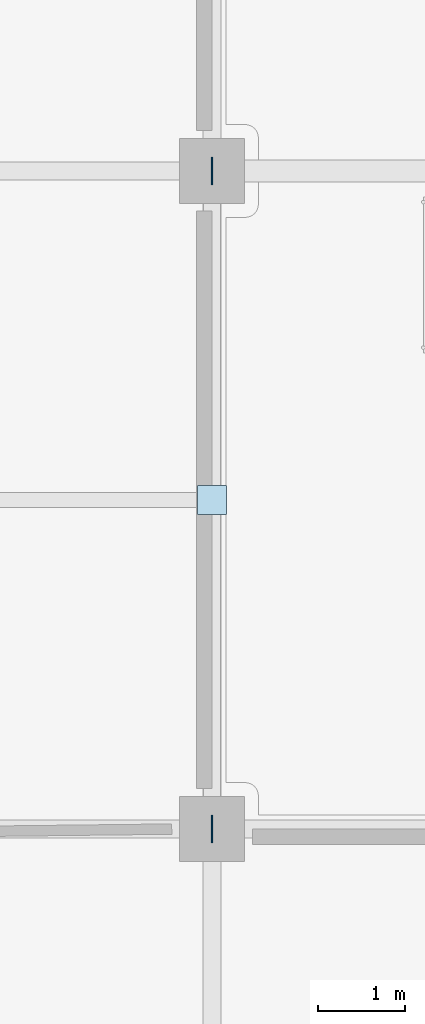
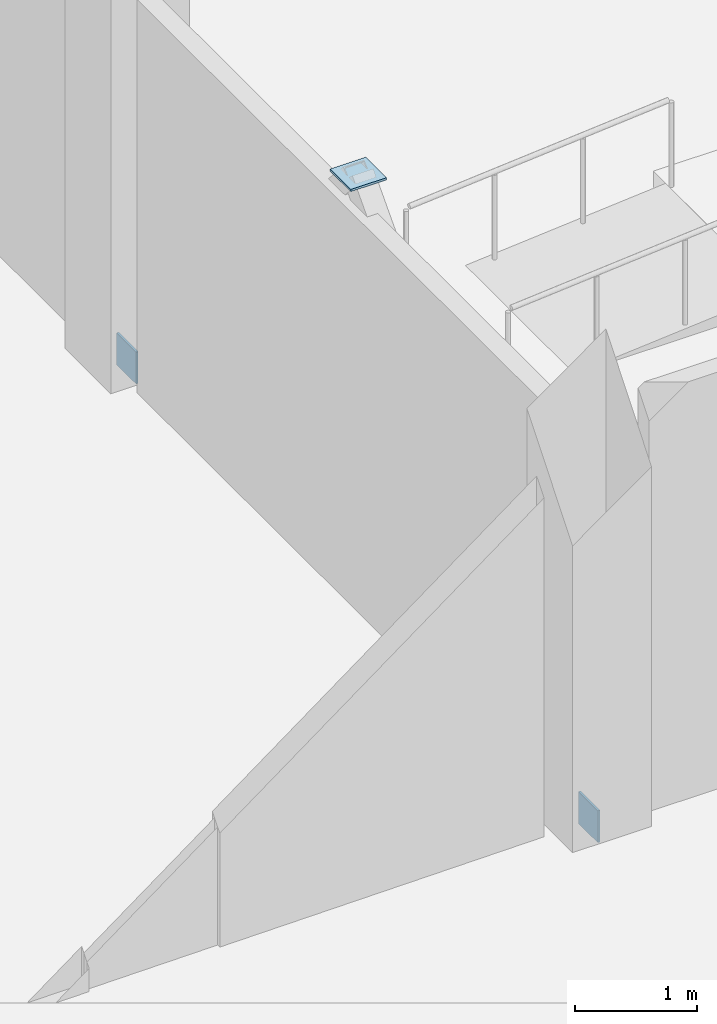
# One storey, part 13 of 36: 3 plates.
"""IFC4 building model written with IfcOpenShell, lengths in metres."""

import ifcopenshell
import ifcopenshell.guid

model = None  # the IFC model being written
_history = None  # IfcOwnerHistory: only IFC2X3 demands one
_inside = {}  # id of a spatial element -> (the spatial element, [elements in it])
_under = {}  # id of a project, library or spatial element -> (it, [spatial elements below it])
_declared = {}  # id of a project -> (the project, [libraries it declares])
_typed = {}  # id of a type object -> (the type object, [elements of that type])
_made_of = {}  # id of a material, layer set ... -> (it, [elements and type objects made of it])


def new_model(schema):
    """Start an empty IFC model of exactly this schema.

    Asked for "IFC4X3", IfcOpenShell would pick the latest addendum, in which some entities
    have other attributes; the version numbers below select the first issue.
    IFC2X3 requires an IfcOwnerHistory on every rooted entity: one is made here for all.
    """
    global model, _history
    if schema == "IFC4X3":
        model = ifcopenshell.file(schema_version=(4, 3, 0, 0))
    else:
        model = ifcopenshell.file(schema=schema)
    _inside.clear()
    _under.clear()
    _declared.clear()
    _typed.clear()
    _made_of.clear()
    _history = None
    if model.schema == "IFC2X3":
        org = make("IfcOrganization", Name="unknown")
        user = make(
            "IfcPersonAndOrganization",
            ThePerson=make("IfcPerson", FamilyName="unknown"),
            TheOrganization=org,
        )
        app = make(
            "IfcApplication",
            ApplicationDeveloper=org,
            Version="unknown",
            ApplicationFullName="unknown",
            ApplicationIdentifier="unknown",
        )
        _history = make(
            "IfcOwnerHistory",
            OwningUser=user,
            OwningApplication=app,
            ChangeAction="ADDED",
            CreationDate=0,
        )
    return model


def make(cls, **values):
    """One entity of the class cls with the attributes given. An attribute that is None is left unset."""
    return model.create_entity(
        cls, **{name: value for name, value in values.items() if value is not None}
    )


def rooted(cls, **values):
    """An entity with a GlobalId (a new one), such as an element, a storey or a relation."""
    return make(cls, GlobalId=ifcopenshell.guid.new(), OwnerHistory=_history, **values)


def si_unit(unit_type, name, prefix=None):
    """IfcSIUnit, for example si_unit("LENGTHUNIT", "METRE", prefix="MILLI")."""
    return make("IfcSIUnit", UnitType=unit_type, Prefix=prefix, Name=name)


def assignment(units):
    """IfcUnitAssignment: the units of a project."""
    return None if units is None else make("IfcUnitAssignment", Units=units)


def point(xyz):
    """IfcCartesianPoint."""
    return None if xyz is None else make("IfcCartesianPoint", Coordinates=xyz)


def direction(xyz):
    """IfcDirection."""
    return None if xyz is None else make("IfcDirection", DirectionRatios=xyz)


def frame(location, z_axis=None, x_axis=None):
    """IfcAxis2Placement3D, a coordinate frame: its origin and axes. An axis left out is left unset."""
    return make(
        "IfcAxis2Placement3D",
        Location=point(location),
        Axis=direction(z_axis),
        RefDirection=direction(x_axis),
    )


def frame_2d(location, x_axis=None):
    """IfcAxis2Placement2D, a coordinate frame in the plane: its origin and x axis."""
    return make(
        "IfcAxis2Placement2D", Location=point(location), RefDirection=direction(x_axis)
    )


def origin():
    """The frame at (0, 0, 0) with its axes left unset."""
    return frame((0.0, 0.0, 0.0))


def origin_2d():
    """The frame at (0, 0) in the plane with its x axis left unset."""
    return frame_2d((0.0, 0.0))


def place(relative_to, where):
    """IfcLocalPlacement: puts the frame where relative to a parent placement (None: the world)."""
    return make(
        "IfcLocalPlacement", PlacementRelTo=relative_to, RelativePlacement=where
    )


def context(
    kind, dimensions, precision=None, world=None, true_north=None, identifier=None
):
    """IfcGeometricRepresentationContext, for example the 3D "Model" context."""
    return make(
        "IfcGeometricRepresentationContext",
        ContextIdentifier=identifier,
        ContextType=kind,
        CoordinateSpaceDimension=dimensions,
        Precision=precision,
        WorldCoordinateSystem=world,
        TrueNorth=true_north,
    )


def subcontext(parent, identifier, kind, view, scale=None):
    """IfcGeometricRepresentationSubContext, for example "Body" below "Model"."""
    return make(
        "IfcGeometricRepresentationSubContext",
        ContextIdentifier=identifier,
        ContextType=kind,
        ParentContext=parent,
        TargetScale=scale,
        TargetView=view,
    )


def project(units=None, contexts=None):
    """IfcProject with its units and contexts."""
    return rooted(
        "IfcProject",
        Name="project",
        RepresentationContexts=contexts,
        UnitsInContext=assignment(units),
    )


def spatial(cls, under=None, at=None, **own):
    """A site, building, storey or space (cls), placed at a placement, below another one or the project."""
    s = rooted(cls, ObjectPlacement=at, **own)
    if under is not None:
        _under.setdefault(under.id(), (under, []))[1].append(s)
    return s


def profile(cls, at=None, kind="AREA", **sizes):
    """A parametric profile (cls). Its sizes go by their IFC names, for example OverallWidth=200.0."""
    return make(cls, ProfileType=kind, Position=at, **sizes)


def rectangle(**sizes):
    """IfcRectangleProfileDef."""
    return profile("IfcRectangleProfileDef", **sizes)


def extrude(swept, where, along, depth):
    """IfcExtrudedAreaSolid: the profile swept, set in the frame where, extruded along a direction by depth."""
    return make(
        "IfcExtrudedAreaSolid",
        SweptArea=swept,
        Position=where,
        ExtrudedDirection=direction(along),
        Depth=depth,
    )


def shape(context_of_items, identifier, shape_type, items):
    """IfcShapeRepresentation: the items that make up one representation, for example the "Body"."""
    return make(
        "IfcShapeRepresentation",
        ContextOfItems=context_of_items,
        RepresentationIdentifier=identifier,
        RepresentationType=shape_type,
        Items=items,
    )


def material(Name=None, Category=None):
    """IfcMaterial."""
    return make("IfcMaterial", Name=Name, Category=Category)


def layer(
    of_material, thickness, ventilated=None, Name=None, Category=None, Priority=None
):
    """IfcMaterialLayer: one layer of a wall or slab, of a material (None: an air gap)."""
    return make(
        "IfcMaterialLayer",
        Material=of_material,
        LayerThickness=thickness,
        IsVentilated=ventilated,
        Name=Name,
        Category=Category,
        Priority=Priority,
    )


def layer_set(layers, Name=None):
    """IfcMaterialLayerSet."""
    return make("IfcMaterialLayerSet", MaterialLayers=layers, LayerSetName=Name)


def made_of(thing, what):
    """Note that an element or type object is made of a material, layer set ...; save() writes the relation."""
    if what is not None:
        _made_of.setdefault(what.id(), (what, []))[1].append(thing)
    return thing


def type_object(cls, material=None, **own):
    """A type object (cls), such as IfcWallType, which elements share."""
    return made_of(rooted(cls, **own), material)


def element(
    cls,
    number,
    at=None,
    inside=None,
    cuts=None,
    type_object=None,
    material=None,
    context=None,
    identifier="Body",
    shape_type=None,
    held_by="IfcProductDefinitionShape",
    body=None,
    shapes=None,
    **own,
):
    """One element of the class cls, such as IfcWall. Its Tag is "e" and its number.

    at: its placement. inside: the storey or other place that contains it. cuts: it is an
    opening in that element (IfcRelVoidsElement). A single representation is given by context,
    identifier, shape_type and body (its items); several are given by shapes. held_by: the class
    of the entity that holds the representations. save() writes the other relations.
    """
    e = rooted(cls, Tag="e%d" % number, ObjectPlacement=at, **own)
    if body is not None:
        shapes = [shape(context, identifier, shape_type, body)]
    if shapes is not None:
        e.Representation = make(held_by, Representations=shapes)
    if inside is not None:
        _inside.setdefault(inside.id(), (inside, []))[1].append(e)
    if cuts is not None:
        rooted(
            "IfcRelVoidsElement", RelatingBuildingElement=cuts, RelatedOpeningElement=e
        )
    if type_object is not None:
        _typed.setdefault(type_object.id(), (type_object, []))[1].append(e)
    return made_of(e, material)


def aggregate(whole, parts):
    """IfcRelAggregates: a whole, such as a stair, and the parts it consists of."""
    return rooted("IfcRelAggregates", RelatingObject=whole, RelatedObjects=parts)


def save(model, path):
    """Write the relations noted so far, then the file.

    IfcRelAggregates (storeys below a building ...), IfcRelContainedInSpatialStructure (elements
    in a storey), IfcRelDefinesByType, IfcRelAssociatesMaterial and IfcRelDeclares: one each for
    every whole, place, type object, material and project.
    """
    for whole, parts in _under.values():
        aggregate(whole, parts)
    for where, things in _inside.values():
        rooted(
            "IfcRelContainedInSpatialStructure",
            RelatedElements=things,
            RelatingStructure=where,
        )
    for kind, things in _typed.values():
        rooted("IfcRelDefinesByType", RelatedObjects=things, RelatingType=kind)
    for what, things in _made_of.values():
        rooted("IfcRelAssociatesMaterial", RelatedObjects=things, RelatingMaterial=what)
    for by, libraries in _declared.values():
        rooted("IfcRelDeclares", RelatingContext=by, RelatedDefinitions=libraries)
    model.write(path)


model = new_model("IFC4")

# Units and contexts
model_context = context("Model", 3, precision=1e-05, world=origin(), true_north=direction((0.0, 1.0)))
body_context = subcontext(model_context, "Body", "Model", "MODEL_VIEW")
ifc_project = project(units=[si_unit("LENGTHUNIT", "METRE"), si_unit("AREAUNIT", "SQUARE_METRE"), si_unit("VOLUMEUNIT", "CUBIC_METRE"), si_unit("PLANEANGLEUNIT", "RADIAN"), si_unit("MASSUNIT", "GRAM", prefix="KILO")], contexts=[model_context])

# Site, building, storey
site_placement = place(None, origin())
site = spatial("IfcSite", under=ifc_project, at=site_placement, CompositionType="ELEMENT")
building_placement = place(site_placement, origin())
building = spatial("IfcBuilding", under=site, at=building_placement, Name="Zuvorla Pavilion Media Centre", CompositionType="ELEMENT")
storey_placement = place(building_placement, origin())
storey = spatial("IfcBuildingStorey", under=building, at=storey_placement, Name="L00", CompositionType="ELEMENT", Elevation=0.0)

# Plates
ifc_material = material(Name="Steel S355", Category="steel")
ifc_layer_1 = layer(ifc_material, 0.02197265625)
ifc_layer_set_1 = layer_set([ifc_layer_1], Name="Steel S355")
plate_type_1 = type_object("IfcPlateType", Name="PLT-CAP-22", PredefinedType="USERDEFINED", material=ifc_layer_set_1)
plate_placement = place(storey_placement, frame((75.199951171875, 93.39990234375, 4.138916015625), z_axis=(0.0, 0.0, 1.0), x_axis=(1.0, 0.0, 0.0)))
element("IfcPlate", 1, at=plate_placement, inside=storey, type_object=plate_type_1, Name="L00 cap plate CP22 163", ObjectType="CAP_PLATE", PredefinedType="USERDEFINED", context=body_context, shape_type="SweptSolid", body=[
    extrude(rectangle(XDim=0.340087890625, YDim=0.340087890625, at=origin_2d()), origin(), (0.0, 0.0, 1.0), 0.02197265625),
])
ifc_layer_2 = layer(ifc_material, 0.02001953125)
ifc_layer_set_2 = layer_set([ifc_layer_2], Name="Steel S355")
plate_type_2 = type_object("IfcPlateType", Name="PLT-GUS-20", PredefinedType="USERDEFINED", material=ifc_layer_set_2)
for number, where, z_axis, x_axis, name in (
    (2, (75.199951171875, 89.60009765625, -0.16015625), (0.0, 0.0, 1.0), (1.0, 0.0, 0.0), "L00 gusset plate GP20 513"),
    (3, (75.199951171875, 97.199951171875, -0.16015625), (0.0, 0.0, 1.0), (1.0, 0.0, 0.0), "L00 gusset plate GP20 514"),
):
    element("IfcPlate", number, at=place(storey_placement, frame(where, z_axis=z_axis, x_axis=x_axis)), inside=storey, type_object=plate_type_2, Name=name, ObjectType="GUSSET_PLATE", PredefinedType="USERDEFINED", context=body_context, shape_type="SweptSolid", body=[
        extrude(rectangle(XDim=0.02001953125, YDim=0.320068359375, at=origin_2d()), origin(), (0.0, 0.0, 1.0), 0.320068359375),
    ])

save(model, "model.ifc")
